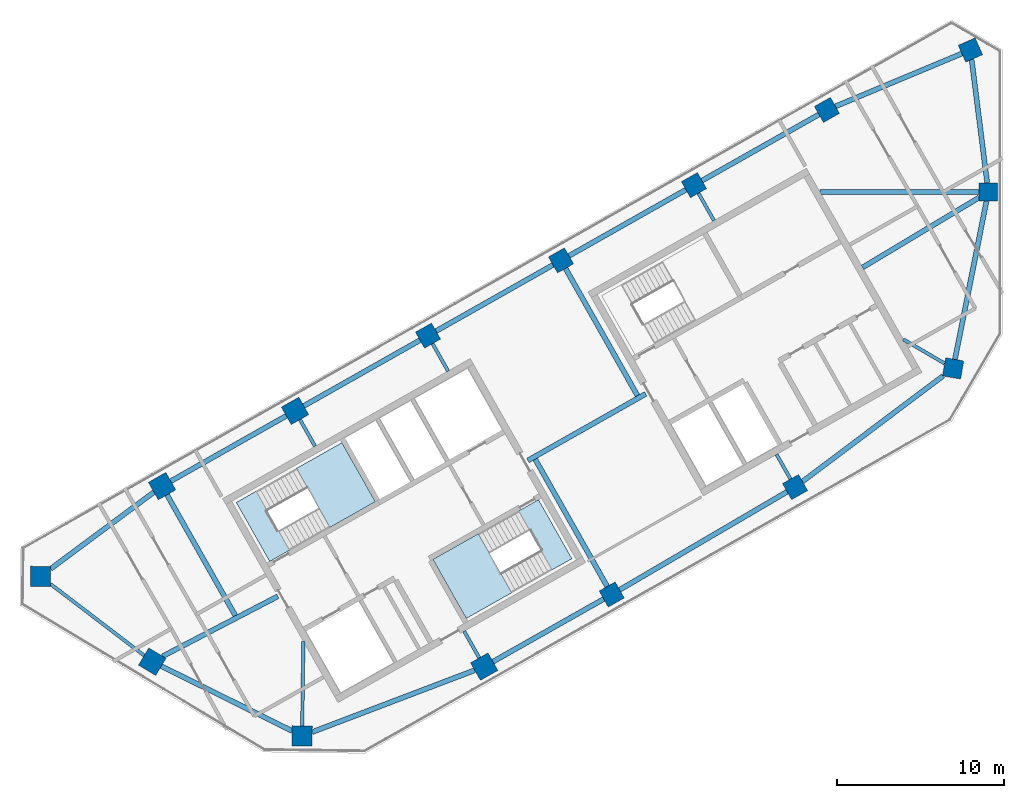
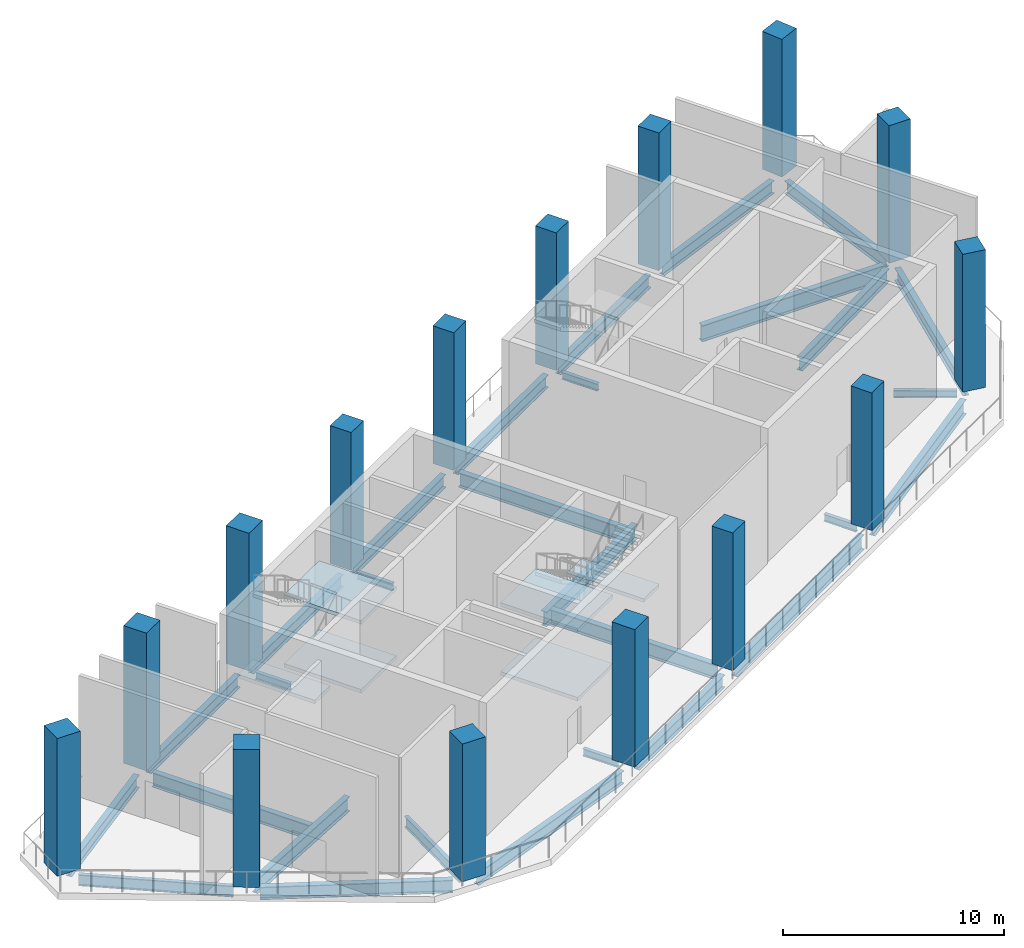
# One storey, part 1 of 6: 29 beams, 15 columns, 6 slabs, 2 elements without a shape of their own.
"""IFC4 building model written with IfcOpenShell, lengths in metres."""

from ifc_helpers import new_model, si_unit, direction, frame, origin, origin_2d, place, context, subcontext, project, spatial, polyline, rectangle, i_section, outline, extrude, material, layer, layer_set, material_profile, profile_set, type_object, element, aggregate, save


model = new_model("IFC4")

# Units and contexts
model_context = context("Model", 3, precision=1e-05, world=origin(), true_north=direction((0.0, 1.0)))
body_context = subcontext(model_context, "Body", "Model", "MODEL_VIEW")
ifc_project = project(units=[si_unit("LENGTHUNIT", "METRE"), si_unit("AREAUNIT", "SQUARE_METRE"), si_unit("VOLUMEUNIT", "CUBIC_METRE"), si_unit("PLANEANGLEUNIT", "RADIAN"), si_unit("MASSUNIT", "GRAM", prefix="KILO")], contexts=[model_context])

# Site, building, storey
site_placement = place(None, origin())
site = spatial("IfcSite", under=ifc_project, at=site_placement, CompositionType="ELEMENT")
building_placement = place(site_placement, origin())
building = spatial("IfcBuilding", under=site, at=building_placement, Name="Binnacle Exchange Tower", CompositionType="ELEMENT")
storey_placement = place(building_placement, frame((0.0, 0.0, 285.5)))
storey = spatial("IfcBuildingStorey", under=building, at=storey_placement, Name="L64", CompositionType="ELEMENT", Elevation=285.5)

# Columns
ifc_material_1 = material(Name="Concrete C60/75", Category="concrete")
ifc_material_profile_1 = material_profile(ifc_material_1, rectangle(XDim=1.10009765625, YDim=1.10009765625, at=origin_2d()), Name="Mega column 1100x1100 C60/75")
ifc_profile_set_1 = profile_set([ifc_material_profile_1], Name="Concrete C60/75")
column_type_1 = type_object("IfcColumnType", Name="Mega column 1100x1100 C60/75", PredefinedType="COLUMN", material=ifc_profile_set_1)
for number, where, z_axis, x_axis, name in (
    (1, (-10.4951171875, 64.901611328125, 0.0), (0.0, 0.0, 1.0), (-0.87035569594, -0.492423560103, 0.0), "S:COL:MC38:L64"),
    (2, (-18.44140625, 60.406005859375, 0.0), (0.0, 0.0, 1.0), (-0.87035569594, -0.492423560103, 0.0), "S:COL:MC29:L64"),
    (3, (-26.3876953125, 55.91015625, 0.0), (0.0, 0.0, 1.0), (-0.87035569594, -0.492423560103, 0.0), "S:COL:MC21:L64"),
    (4, (-34.333740234375, 51.414306640625, 0.0), (0.0, 0.0, 1.0), (-0.87035569594, -0.492423560103, 0.0), "S:COL:MC13:L64"),
    (5, (-23.35595703125, 35.9462890625, 0.0), (0.0, 0.0, 1.0), (0.87035569594, 0.492423560103, 0.0), "S:COL:MC16:L64"),
    (6, (-2.955322265625, 49.45556640625, 0.0), (0.0, 0.0, 1.0), (-0.98522612636, 0.171258517854, 0.0), "S:COL:MC43:L64"),
    (7, (-0.85009765625, 60.0, 0.0), (0.0, 0.0, 1.0), (0.0, 1.0, 0.0), "S:COL:MC45:L64"),
    (8, (-1.920166015625, 68.4833984375, 0.0), (0.0, 0.0, 1.0), (-0.91471298536, -0.40410413808, 0.0), "S:COL:MC44:L64"),
    (9, (-12.39990234375, 42.36328125, 0.0), (0.0, 0.0, 1.0), (0.87035569594, 0.492423560103, 0.0), "S:COL:MC30:L64"),
):
    element("IfcColumn", number, at=place(storey_placement, frame(where, z_axis=z_axis, x_axis=x_axis)), inside=storey, type_object=column_type_1, Name=name, PredefinedType="COLUMN", context=body_context, shape_type="SweptSolid", body=[
        extrude(rectangle(XDim=1.10009765625, YDim=1.10009765625, at=origin_2d()), origin(), (0.0, 0.0, 1.0), 7.60009765625),
    ])
ifc_material_profile_2 = material_profile(ifc_material_1, rectangle(XDim=1.199951171875, YDim=1.199951171875, at=origin_2d()), Name="Mega column 1200x1200 C60/75")
ifc_profile_set_2 = profile_set([ifc_material_profile_2], Name="Concrete C60/75")
column_type_2 = type_object("IfcColumnType", Name="Mega column 1200x1200 C60/75", PredefinedType="COLUMN", material=ifc_profile_set_2)
for number, where, z_axis, x_axis, name in (
    (10, (-42.280029296875, 46.918701171875, 0.0), (0.0, 0.0, 1.0), (-0.87035569594, -0.492423560103, 0.0), "S:COL:MC08:L64"),
    (11, (-50.226318359375, 42.4228515625, 0.0), (0.0, 0.0, 1.0), (-0.87035569594, -0.492423560103, 0.0), "S:COL:MC04:L64"),
    (12, (-57.492919921875, 37.02734375, 0.0), (0.0, 0.0, 1.0), (-0.013089595571, -0.999914327574, 0.0), "S:COL:MC02:L64"),
    (13, (-50.81201171875, 31.930908203125, 0.0), (0.0, 0.0, 1.0), (0.857167300702, -0.51503807491, 0.0), "S:COL:MC01:L64"),
    (14, (-41.857666015625, 27.494873046875, 0.0), (0.0, 0.0, 1.0), (0.999914327574, -0.013089595571, 0.0), "S:COL:MC03:L64"),
    (15, (-30.9755859375, 31.63525390625, 0.0), (0.0, 0.0, 1.0), (0.87035569594, 0.492423560103, 0.0), "S:COL:MC07:L64"),
):
    element("IfcColumn", number, at=place(storey_placement, frame(where, z_axis=z_axis, x_axis=x_axis)), inside=storey, type_object=column_type_2, Name=name, PredefinedType="COLUMN", context=body_context, shape_type="SweptSolid", body=[
        extrude(rectangle(XDim=1.199951171875, YDim=1.199951171875, at=origin_2d()), origin(), (0.0, 0.0, 1.0), 7.60009765625),
    ])

# Beams
ifc_material_2 = material(Name="Steel S355 (SHN355)", Category="steel")
ifc_material_profile_3 = material_profile(ifc_material_2, i_section(OverallWidth=0.201904296875, OverallDepth=0.612060546875, WebThickness=0.012939453125, FlangeThickness=0.02294921875, FilletRadius=0.02197265625, at=origin_2d()), Name="H 612x202x13x23")
ifc_profile_set_3 = profile_set([ifc_material_profile_3], Name="Steel S355 (SHN355)")
beam_type_1 = type_object("IfcBeamType", Name="Edge girder H 612x202x13x23 Steel S355 (SHN355)", PredefinedType="SPANDREL", material=ifc_profile_set_3)
beam_1_placement = place(storey_placement, frame((-56.89892578125, 36.57421875, -0.656005859375), z_axis=(0.795079526259, -0.606505191176, 0.0), x_axis=(0.606505191176, 0.795079526259, 0.0)))
element("IfcBeam", 16, at=beam_1_placement, inside=storey, type_object=beam_type_1, Name="S:BM:edge:L64:004", PredefinedType="SPANDREL", context=body_context, shape_type="SweptSolid", body=[
    extrude(i_section(OverallWidth=0.201904296875, OverallDepth=0.612060546875, WebThickness=0.012939453125, FlangeThickness=0.02294921875, FilletRadius=0.02197265625, at=origin_2d()), origin(), (0.0, 0.0, 1.0), 7.052001953125),
])
ifc_material_profile_4 = material_profile(ifc_material_2, i_section(OverallWidth=0.300048828125, OverallDepth=0.699951171875, WebThickness=0.012939453125, FlangeThickness=0.02392578125, FilletRadius=0.028076171875, at=origin_2d()), Name="H 700x300x13x24")
ifc_profile_set_4 = profile_set([ifc_material_profile_4], Name="Steel S355 (SHN355)")
beam_type_2 = type_object("IfcBeamType", Name="Edge girder H 700x300x13x24 Steel S355 (SHN355)", PredefinedType="SPANDREL", material=ifc_profile_set_4)
beam_2_placement = place(storey_placement, frame((-50.711669921875, 42.0625, -0.699951171875), z_axis=(-0.802889255085, -0.596128211099, 0.0), x_axis=(0.596128211099, -0.802889255085, 0.0)))
element("IfcBeam", 17, at=beam_2_placement, inside=storey, type_object=beam_type_2, Name="S:BM:edge:L64:005", PredefinedType="SPANDREL", context=body_context, shape_type="SweptSolid", body=[
    extrude(i_section(OverallWidth=0.300048828125, OverallDepth=0.699951171875, WebThickness=0.012939453125, FlangeThickness=0.02392578125, FilletRadius=0.028076171875, at=origin_2d()), origin(), (0.0, 0.0, 1.0), 7.691650390625),
])
beam_3_placement = place(storey_placement, frame((-50.272705078125, 31.663818359375, -0.699951171875), z_axis=(0.896066323919, -0.443920199066, 0.0), x_axis=(0.443920199066, 0.896066323919, 0.0)))
element("IfcBeam", 18, at=beam_3_placement, inside=storey, type_object=beam_type_2, Name="S:BM:edge:L64:006", PredefinedType="SPANDREL", context=body_context, shape_type="SweptSolid", body=[
    extrude(i_section(OverallWidth=0.300048828125, OverallDepth=0.699951171875, WebThickness=0.012939453125, FlangeThickness=0.02392578125, FilletRadius=0.028076171875, at=origin_2d()), origin(), (0.0, 0.0, 1.0), 8.725830078125),
])
beam_4_placement = place(storey_placement, frame((-42.80224609375, 46.623291015625, -0.699951171875), z_axis=(-0.870360926906, -0.492414314288, 0.0), x_axis=(0.492414314288, -0.870360926906, 0.0)))
element("IfcBeam", 19, at=beam_4_placement, inside=storey, type_object=beam_type_2, Name="S:BM:edge:L64:007", PredefinedType="SPANDREL", context=body_context, shape_type="SweptSolid", body=[
    extrude(i_section(OverallWidth=0.300048828125, OverallDepth=0.699951171875, WebThickness=0.012939453125, FlangeThickness=0.02392578125, FilletRadius=0.028076171875, at=origin_2d()), origin(), (0.0, 0.0, 1.0), 7.929931640625),
])
beam_5_placement = place(storey_placement, frame((-34.8125, 51.1435546875, -0.699951171875), z_axis=(-0.870357059543, -0.492421149935, 0.0), x_axis=(0.492421149935, -0.870357059543, 0.0)))
element("IfcBeam", 20, at=beam_5_placement, inside=storey, type_object=beam_type_2, Name="S:BM:edge:L64:009", PredefinedType="SPANDREL", context=body_context, shape_type="SweptSolid", body=[
    extrude(i_section(OverallWidth=0.300048828125, OverallDepth=0.699951171875, WebThickness=0.012939453125, FlangeThickness=0.02392578125, FilletRadius=0.028076171875, at=origin_2d()), origin(), (0.0, 0.0, 1.0), 7.979736328125),
])
beam_6_placement = place(storey_placement, frame((-30.453369140625, 31.930908203125, -0.699951171875), z_axis=(0.870370831478, 0.49239680717, 0.0), x_axis=(-0.49239680717, 0.870370831478, 0.0)))
element("IfcBeam", 21, at=beam_6_placement, inside=storey, type_object=beam_type_2, Name="S:BM:edge:L64:010", PredefinedType="SPANDREL", context=body_context, shape_type="SweptSolid", body=[
    extrude(i_section(OverallWidth=0.300048828125, OverallDepth=0.699951171875, WebThickness=0.012939453125, FlangeThickness=0.02392578125, FilletRadius=0.028076171875, at=origin_2d()), origin(), (0.0, 0.0, 1.0), 7.6044921875),
])
beam_7_placement = place(storey_placement, frame((-26.8662109375, 55.639404296875, -0.699951171875), z_axis=(-0.870353240257, -0.492427900482, 0.0), x_axis=(0.492427900482, -0.870353240257, 0.0)))
element("IfcBeam", 22, at=beam_7_placement, inside=storey, type_object=beam_type_2, Name="S:BM:edge:L64:011", PredefinedType="SPANDREL", context=body_context, shape_type="SweptSolid", body=[
    extrude(i_section(OverallWidth=0.300048828125, OverallDepth=0.699951171875, WebThickness=0.012939453125, FlangeThickness=0.02392578125, FilletRadius=0.028076171875, at=origin_2d()), origin(), (0.0, 0.0, 1.0), 8.02978515625),
])
beam_8_placement = place(storey_placement, frame((-18.919921875, 60.13525390625, -0.699951171875), z_axis=(-0.870347582166, -0.492437900875, 0.0), x_axis=(0.492437900875, -0.870347582166, 0.0)))
element("IfcBeam", 23, at=beam_8_placement, inside=storey, type_object=beam_type_2, Name="S:BM:edge:L64:013", PredefinedType="SPANDREL", context=body_context, shape_type="SweptSolid", body=[
    extrude(i_section(OverallWidth=0.300048828125, OverallDepth=0.699951171875, WebThickness=0.012939453125, FlangeThickness=0.02392578125, FilletRadius=0.028076171875, at=origin_2d()), origin(), (0.0, 0.0, 1.0), 8.030029296875),
])
beam_9_placement = place(storey_placement, frame((-10.973876953125, 64.630859375, -0.699951171875), z_axis=(-0.870353240257, -0.492427900482, 0.0), x_axis=(0.492427900482, -0.870353240257, 0.0)))
element("IfcBeam", 24, at=beam_9_placement, inside=storey, type_object=beam_type_2, Name="S:BM:edge:L64:015", PredefinedType="SPANDREL", context=body_context, shape_type="SweptSolid", body=[
    extrude(i_section(OverallWidth=0.300048828125, OverallDepth=0.699951171875, WebThickness=0.012939453125, FlangeThickness=0.02392578125, FilletRadius=0.028076171875, at=origin_2d()), origin(), (0.0, 0.0, 1.0), 8.02978515625),
])
beam_10_placement = place(storey_placement, frame((-2.84765625, 49.9951171875, -0.699951171875), z_axis=(0.195814210945, 0.980641012191, 0.0), x_axis=(-0.980641012191, 0.195814210945, 0.0)))
element("IfcBeam", 25, at=beam_10_placement, inside=storey, type_object=beam_type_2, Name="S:BM:edge:L64:016", PredefinedType="SPANDREL", context=body_context, shape_type="SweptSolid", body=[
    extrude(i_section(OverallWidth=0.300048828125, OverallDepth=0.699951171875, WebThickness=0.012939453125, FlangeThickness=0.02392578125, FilletRadius=0.028076171875, at=origin_2d()), origin(), (0.0, 0.0, 1.0), 9.6416015625),
])
beam_11_placement = place(storey_placement, frame((-2.427734375, 68.271240234375, -0.699951171875), z_axis=(-0.922746687756, -0.385406992977, 0.0), x_axis=(0.385406992977, -0.922746687756, 0.0)))
element("IfcBeam", 26, at=beam_11_placement, inside=storey, type_object=beam_type_2, Name="S:BM:edge:L64:017", PredefinedType="SPANDREL", context=body_context, shape_type="SweptSolid", body=[
    extrude(i_section(OverallWidth=0.300048828125, OverallDepth=0.699951171875, WebThickness=0.012939453125, FlangeThickness=0.02392578125, FilletRadius=0.028076171875, at=origin_2d()), origin(), (0.0, 0.0, 1.0), 8.188720703125),
])
beam_12_placement = place(storey_placement, frame((-0.91943359375, 60.550048828125, -0.699951171875), z_axis=(-0.125160121745, 0.992136555079, 0.0), x_axis=(-0.992136555079, -0.125160121745, 0.0)))
element("IfcBeam", 27, at=beam_12_placement, inside=storey, type_object=beam_type_2, Name="S:BM:edge:L64:018", PredefinedType="SPANDREL", context=body_context, shape_type="SweptSolid", body=[
    extrude(i_section(OverallWidth=0.300048828125, OverallDepth=0.699951171875, WebThickness=0.012939453125, FlangeThickness=0.02392578125, FilletRadius=0.028076171875, at=origin_2d()), origin(), (0.0, 0.0, 1.0), 7.422119140625),
])
ifc_material_profile_5 = material_profile(ifc_material_2, i_section(OverallWidth=0.302001953125, OverallDepth=0.7080078125, WebThickness=0.014892578125, FlangeThickness=0.028076171875, FilletRadius=0.028076171875, at=origin_2d()), Name="H 708x302x15x28")
ifc_profile_set_5 = profile_set([ifc_material_profile_5], Name="Steel S355 (SHN355)")
beam_type_3 = type_object("IfcBeamType", Name="Edge girder H 708x302x15x28 Steel S355 (SHN355)", PredefinedType="SPANDREL", material=ifc_profile_set_5)
beam_13_placement = place(storey_placement, frame((-41.254638671875, 27.724365234375, -0.7041015625), z_axis=(0.934635421438, 0.355607408519, 0.0), x_axis=(-0.355607408519, 0.934635421438, 0.0)))
element("IfcBeam", 28, at=beam_13_placement, inside=storey, type_object=beam_type_3, Name="S:BM:edge:L64:008", PredefinedType="SPANDREL", context=body_context, shape_type="SweptSolid", body=[
    extrude(i_section(OverallWidth=0.302001953125, OverallDepth=0.7080078125, WebThickness=0.014892578125, FlangeThickness=0.028076171875, FilletRadius=0.028076171875, at=origin_2d()), origin(), (0.0, 0.0, 1.0), 10.390869140625),
])
ifc_material_profile_6 = material_profile(ifc_material_2, i_section(OverallWidth=0.300048828125, OverallDepth=0.800048828125, WebThickness=0.013916015625, FlangeThickness=0.02587890625, FilletRadius=0.028076171875, at=origin_2d()), Name="H 800x300x14x26")
ifc_profile_set_6 = profile_set([ifc_material_profile_6], Name="Steel S355 (SHN355)")
beam_type_4 = type_object("IfcBeamType", Name="Edge girder H 800x300x14x26 Steel S355 (SHN355)", PredefinedType="SPANDREL", material=ifc_profile_set_6)
beam_14_placement = place(storey_placement, frame((-11.95654296875, 42.6962890625, -0.75), z_axis=(0.799642767002, 0.600476015493, 0.0), x_axis=(-0.600476015493, 0.799642767002, 0.0)))
element("IfcBeam", 29, at=beam_14_placement, inside=storey, type_object=beam_type_4, Name="S:BM:edge:L64:014", PredefinedType="SPANDREL", context=body_context, shape_type="SweptSolid", body=[
    extrude(i_section(OverallWidth=0.300048828125, OverallDepth=0.800048828125, WebThickness=0.013916015625, FlangeThickness=0.02587890625, FilletRadius=0.028076171875, at=origin_2d()), origin(), (0.0, 0.0, 1.0), 10.50146484375),
])
ifc_material_profile_7 = material_profile(ifc_material_2, i_section(OverallWidth=0.302001953125, OverallDepth=0.80810546875, WebThickness=0.01611328125, FlangeThickness=0.030029296875, FilletRadius=0.028076171875, at=origin_2d()), Name="H 808x302x16x30")
ifc_profile_set_7 = profile_set([ifc_material_profile_7], Name="Steel S355 (SHN355)")
beam_type_5 = type_object("IfcBeamType", Name="Edge girder H 808x302x16x30 Steel S355 (SHN355)", PredefinedType="SPANDREL", material=ifc_profile_set_7)
beam_15_placement = place(storey_placement, frame((-22.88134765625, 36.22412109375, -0.75390625), z_axis=(0.86288572191, 0.50539908085, 0.0), x_axis=(-0.50539908085, 0.86288572191, 0.0)))
element("IfcBeam", 30, at=beam_15_placement, inside=storey, type_object=beam_type_5, Name="S:BM:edge:L64:012", PredefinedType="SPANDREL", context=body_context, shape_type="SweptSolid", body=[
    extrude(i_section(OverallWidth=0.302001953125, OverallDepth=0.80810546875, WebThickness=0.01611328125, FlangeThickness=0.030029296875, FilletRadius=0.028076171875, at=origin_2d()), origin(), (0.0, 0.0, 1.0), 11.596923828125),
])
ifc_material_profile_8 = material_profile(ifc_material_2, i_section(OverallWidth=0.199951171875, OverallDepth=0.39990234375, WebThickness=0.008056640625, FlangeThickness=0.012939453125, FilletRadius=0.01611328125, at=origin_2d()), Name="H 400x200x8x13")
ifc_profile_set_8 = profile_set([ifc_material_profile_8], Name="Steel S355 (SHN355)")
beam_type_6 = type_object("IfcBeamType", Name="Floor beam H 400x200x8x13 Steel S355 (SHN355)", PredefinedType="BEAM", material=ifc_profile_set_8)
beam_16_placement = place(storey_placement, frame((-41.984619140625, 46.396484375, -0.550048828125), z_axis=(0.492465079532, -0.87033220407, 0.0), x_axis=(0.87033220407, 0.492465079532, 0.0)))
element("IfcBeam", 31, at=beam_16_placement, inside=storey, type_object=beam_type_6, Name="S:BM:cross:L64:020", PredefinedType="BEAM", context=body_context, shape_type="SweptSolid", body=[
    extrude(i_section(OverallWidth=0.199951171875, OverallDepth=0.39990234375, WebThickness=0.008056640625, FlangeThickness=0.012939453125, FilletRadius=0.01611328125, at=origin_2d()), origin(), (0.0, 0.0, 1.0), 1.834228515625),
])
beam_17_placement = place(storey_placement, frame((-34.06298828125, 50.935791015625, -0.550048828125), z_axis=(0.492437150105, -0.870348006947, 0.0), x_axis=(0.870348006947, 0.492437150105, 0.0)))
element("IfcBeam", 32, at=beam_17_placement, inside=storey, type_object=beam_type_6, Name="S:BM:cross:L64:022", PredefinedType="BEAM", context=body_context, shape_type="SweptSolid", body=[
    extrude(i_section(OverallWidth=0.199951171875, OverallDepth=0.39990234375, WebThickness=0.008056640625, FlangeThickness=0.012939453125, FilletRadius=0.01611328125, at=origin_2d()), origin(), (0.0, 0.0, 1.0), 1.884521484375),
])
beam_18_placement = place(storey_placement, frame((-31.27099609375, 32.157470703125, -0.550048828125), z_axis=(-0.492465079532, 0.87033220407, 0.0), x_axis=(-0.87033220407, -0.492465079532, 0.0)))
element("IfcBeam", 33, at=beam_18_placement, inside=storey, type_object=beam_type_6, Name="S:BM:cross:L64:023", PredefinedType="BEAM", context=body_context, shape_type="SweptSolid", body=[
    extrude(i_section(OverallWidth=0.199951171875, OverallDepth=0.39990234375, WebThickness=0.008056640625, FlangeThickness=0.012939453125, FilletRadius=0.01611328125, at=origin_2d()), origin(), (0.0, 0.0, 1.0), 1.834228515625),
])
beam_19_placement = place(storey_placement, frame((-18.17041015625, 59.92724609375, -0.550048828125), z_axis=(0.492394529663, -0.870372119934, 0.0), x_axis=(0.870372119934, 0.492394529663, 0.0)))
element("IfcBeam", 34, at=beam_19_placement, inside=storey, type_object=beam_type_6, Name="S:BM:cross:L64:026", PredefinedType="BEAM", context=body_context, shape_type="SweptSolid", body=[
    extrude(i_section(OverallWidth=0.199951171875, OverallDepth=0.39990234375, WebThickness=0.008056640625, FlangeThickness=0.012939453125, FilletRadius=0.01611328125, at=origin_2d()), origin(), (0.0, 0.0, 1.0), 1.884033203125),
])
beam_20_placement = place(storey_placement, frame((-12.6708984375, 42.841796875, -0.550048828125), z_axis=(-0.492394350893, 0.870372221069, 0.0), x_axis=(-0.870372221069, -0.492394350893, 0.0)))
element("IfcBeam", 35, at=beam_20_placement, inside=storey, type_object=beam_type_6, Name="S:BM:cross:L64:027", PredefinedType="BEAM", context=body_context, shape_type="SweptSolid", body=[
    extrude(i_section(OverallWidth=0.199951171875, OverallDepth=0.39990234375, WebThickness=0.008056640625, FlangeThickness=0.012939453125, FilletRadius=0.01611328125, at=origin_2d()), origin(), (0.0, 0.0, 1.0), 1.6943359375),
])
beam_21_placement = place(storey_placement, frame((-3.46240234375, 49.751220703125, -0.550048828125), z_axis=(-0.863840862356, 0.503764790874, 0.0), x_axis=(-0.503764790874, -0.863840862356, 0.0)))
element("IfcBeam", 36, at=beam_21_placement, inside=storey, type_object=beam_type_6, Name="S:BM:cross:L64:028", PredefinedType="BEAM", context=body_context, shape_type="SweptSolid", body=[
    extrude(i_section(OverallWidth=0.199951171875, OverallDepth=0.39990234375, WebThickness=0.008056640625, FlangeThickness=0.012939453125, FilletRadius=0.01611328125, at=origin_2d()), origin(), (0.0, 0.0, 1.0), 2.85791015625),
])
ifc_material_profile_9 = material_profile(ifc_material_2, i_section(OverallWidth=0.200927734375, OverallDepth=0.60595703125, WebThickness=0.011962890625, FlangeThickness=0.02001953125, FilletRadius=0.02197265625, at=origin_2d()), Name="H 606x201x12x20")
ifc_profile_set_9 = profile_set([ifc_material_profile_9], Name="Steel S355 (SHN355)")
beam_type_7 = type_object("IfcBeamType", Name="Floor beam H 606x201x12x20 Steel S355 (SHN355)", PredefinedType="BEAM", material=ifc_profile_set_9)
beam_22_placement = place(storey_placement, frame((-41.849853515625, 28.0947265625, -0.653076171875), z_axis=(0.013099523714, 0.999914197558, 0.0), x_axis=(-0.999914197558, 0.013099523714, 0.0)))
element("IfcBeam", 37, at=beam_22_placement, inside=storey, type_object=beam_type_7, Name="S:BM:cross:L64:021", PredefinedType="BEAM", context=body_context, shape_type="SweptSolid", body=[
    extrude(i_section(OverallWidth=0.200927734375, OverallDepth=0.60595703125, WebThickness=0.011962890625, FlangeThickness=0.02001953125, FilletRadius=0.02197265625, at=origin_2d()), origin(), (0.0, 0.0, 1.0), 5.05078125),
])
ifc_material_profile_10 = material_profile(ifc_material_2, i_section(OverallWidth=0.300048828125, OverallDepth=0.800048828125, WebThickness=0.013916015625, FlangeThickness=0.02587890625, FilletRadius=0.028076171875, at=origin_2d()), Name="H 800x300x14x26")
ifc_profile_set_10 = profile_set([ifc_material_profile_10], Name="Steel S355 (SHN355)")
beam_type_8 = type_object("IfcBeamType", Name="Floor beam H 800x300x14x26 Steel S355 (SHN355)", PredefinedType="BEAM", material=ifc_profile_set_10)
beam_23_placement = place(storey_placement, frame((-49.9306640625, 41.900634765625, -0.75), z_axis=(0.492421066821, -0.870357106566, 0.0), x_axis=(0.870357106566, 0.492421066821, 0.0)))
element("IfcBeam", 38, at=beam_23_placement, inside=storey, type_object=beam_type_8, Name="S:BM:cross:L64:019", PredefinedType="BEAM", context=body_context, shape_type="SweptSolid", body=[
    extrude(i_section(OverallWidth=0.300048828125, OverallDepth=0.800048828125, WebThickness=0.013916015625, FlangeThickness=0.02587890625, FilletRadius=0.028076171875, at=origin_2d()), origin(), (0.0, 0.0, 1.0), 8.291259765625),
])
ifc_material_profile_11 = material_profile(ifc_material_2, i_section(OverallWidth=0.302001953125, OverallDepth=0.80810546875, WebThickness=0.01611328125, FlangeThickness=0.030029296875, FilletRadius=0.028076171875, at=origin_2d()), Name="H 808x302x16x30")
ifc_profile_set_11 = profile_set([ifc_material_profile_11], Name="Steel S355 (SHN355)")
beam_type_9 = type_object("IfcBeamType", Name="Floor beam H 808x302x16x30 Steel S355 (SHN355)", PredefinedType="BEAM", material=ifc_profile_set_11)
beam_24_placement = place(storey_placement, frame((-26.11669921875, 55.431396484375, -0.75390625), z_axis=(0.492413671625, -0.870361290497, 0.0), x_axis=(0.870361290497, 0.492413671625, 0.0)))
element("IfcBeam", 39, at=beam_24_placement, inside=storey, type_object=beam_type_9, Name="S:BM:cross:L64:024", PredefinedType="BEAM", context=body_context, shape_type="SweptSolid", body=[
    extrude(i_section(OverallWidth=0.302001953125, OverallDepth=0.80810546875, WebThickness=0.01611328125, FlangeThickness=0.030029296875, FilletRadius=0.028076171875, at=origin_2d()), origin(), (0.0, 0.0, 1.0), 8.734130859375),
])
beam_25_placement = place(storey_placement, frame((-23.626708984375, 36.4248046875, -0.75390625), z_axis=(-0.492422866295, 0.870356088477, 0.0), x_axis=(-0.870356088477, -0.492422866295, 0.0)))
element("IfcBeam", 40, at=beam_25_placement, inside=storey, type_object=beam_type_9, Name="S:BM:cross:L64:025", PredefinedType="BEAM", context=body_context, shape_type="SweptSolid", body=[
    extrude(i_section(OverallWidth=0.302001953125, OverallDepth=0.80810546875, WebThickness=0.01611328125, FlangeThickness=0.030029296875, FilletRadius=0.028076171875, at=origin_2d()), origin(), (0.0, 0.0, 1.0), 8.734375),
])
ifc_material_profile_12 = material_profile(ifc_material_2, i_section(OverallWidth=0.300048828125, OverallDepth=0.89990234375, WebThickness=0.01611328125, FlangeThickness=0.028076171875, FilletRadius=0.028076171875, at=origin_2d()), Name="H 900x300x16x28")
ifc_profile_set_12 = profile_set([ifc_material_profile_12], Name="Steel S355 (SHN355)")
beam_type_10 = type_object("IfcBeamType", Name="Floor beam H 900x300x16x28 Steel S355 (SHN355)", PredefinedType="BEAM", material=ifc_profile_set_12)
beam_26_placement = place(storey_placement, frame((-1.39990234375, 60.0, -0.800048828125), z_axis=(-1.0, 0.0, 0.0), x_axis=(0.0, -1.0, 0.0)))
element("IfcBeam", 41, at=beam_26_placement, inside=storey, type_object=beam_type_10, Name="S:BM:cross:L64:029", PredefinedType="BEAM", context=body_context, shape_type="SweptSolid", body=[
    extrude(i_section(OverallWidth=0.300048828125, OverallDepth=0.89990234375, WebThickness=0.01611328125, FlangeThickness=0.028076171875, FilletRadius=0.028076171875, at=origin_2d()), origin(), (0.0, 0.0, 1.0), 9.51513671875),
])
ifc_material_profile_13 = material_profile(ifc_material_2, i_section(OverallWidth=0.302001953125, OverallDepth=0.7080078125, WebThickness=0.014892578125, FlangeThickness=0.028076171875, FilletRadius=0.028076171875, at=origin_2d()), Name="H 708x302x15x28")
ifc_profile_set_13 = profile_set([ifc_material_profile_13], Name="Steel S355 (SHN355)")
beam_type_11 = type_object("IfcBeamType", Name="Spine girder H 708x302x15x28 Steel S355 (SHN355)", PredefinedType="BEAM", material=ifc_profile_set_13)
beam_27_placement = place(storey_placement, frame((-8.36328125, 55.489990234375, -0.7041015625), z_axis=(0.857389464427, 0.514668151618, 0.0), x_axis=(-0.514668151618, 0.857389464427, 0.0)))
element("IfcBeam", 42, at=beam_27_placement, inside=storey, type_object=beam_type_11, Name="S:BM:spine:L64:003", PredefinedType="BEAM", context=body_context, shape_type="SweptSolid", body=[
    extrude(i_section(OverallWidth=0.302001953125, OverallDepth=0.7080078125, WebThickness=0.014892578125, FlangeThickness=0.028076171875, FilletRadius=0.028076171875, at=origin_2d()), origin(), (0.0, 0.0, 1.0), 8.12158203125),
])
ifc_material_profile_14 = material_profile(ifc_material_2, i_section(OverallWidth=0.300048828125, OverallDepth=0.800048828125, WebThickness=0.013916015625, FlangeThickness=0.02587890625, FilletRadius=0.028076171875, at=origin_2d()), Name="H 800x300x14x26")
ifc_profile_set_14 = profile_set([ifc_material_profile_14], Name="Steel S355 (SHN355)")
beam_type_12 = type_object("IfcBeamType", Name="Spine girder H 800x300x14x26 Steel S355 (SHN355)", PredefinedType="BEAM", material=ifc_profile_set_14)
beam_28_placement = place(storey_placement, frame((-50.18798828125, 32.255859375, -0.75), z_axis=(0.886980159322, 0.461807532387, 0.0), x_axis=(-0.461807532387, 0.886980159322, 0.0)))
element("IfcBeam", 43, at=beam_28_placement, inside=storey, type_object=beam_type_12, Name="S:BM:spine:L64:001", PredefinedType="BEAM", context=body_context, shape_type="SweptSolid", body=[
    extrude(i_section(OverallWidth=0.300048828125, OverallDepth=0.800048828125, WebThickness=0.013916015625, FlangeThickness=0.02587890625, FilletRadius=0.028076171875, at=origin_2d()), origin(), (0.0, 0.0, 1.0), 7.757080078125),
])
ifc_material_profile_15 = material_profile(ifc_material_2, i_section(OverallWidth=0.302001953125, OverallDepth=0.80810546875, WebThickness=0.01611328125, FlangeThickness=0.030029296875, FilletRadius=0.028076171875, at=origin_2d()), Name="H 808x302x16x30")
ifc_profile_set_15 = profile_set([ifc_material_profile_15], Name="Steel S355 (SHN355)")
beam_type_13 = type_object("IfcBeamType", Name="Spine girder H 808x302x16x30 Steel S355 (SHN355)", PredefinedType="BEAM", material=ifc_profile_set_15)
beam_29_placement = place(storey_placement, frame((-28.365478515625, 43.951416015625, -0.75390625), z_axis=(0.870350319004, 0.492433063684, 0.0), x_axis=(-0.492433063684, 0.870350319004, 0.0)))
element("IfcBeam", 44, at=beam_29_placement, inside=storey, type_object=beam_type_13, Name="S:BM:spine:L64:002", PredefinedType="BEAM", context=body_context, shape_type="SweptSolid", body=[
    extrude(i_section(OverallWidth=0.302001953125, OverallDepth=0.80810546875, WebThickness=0.01611328125, FlangeThickness=0.030029296875, FilletRadius=0.028076171875, at=origin_2d()), origin(), (0.0, 0.0, 1.0), 8.0908203125),
])

# Stair, slabs
ifc_material_3 = material(Name="Concrete C35/45", Category="concrete")
stair_type = type_object("IfcStairType", Name="STAIR 44 RISERS 173", PredefinedType="HALF_TURN_STAIR", material=ifc_material_3)
stair_1_placement = place(storey_placement, origin())
stair_1 = element("IfcStair", 45, at=stair_1_placement, inside=storey, type_object=stair_type, Name="L64 Escape stair A1", PredefinedType="HALF_TURN_STAIR")
ifc_layer = layer(ifc_material_3, 0.199951171875)
ifc_layer_set = layer_set([ifc_layer], Name="STAIR LANDING 200")
slab_type = type_object("IfcSlabType", Name="STAIR LANDING 200", PredefinedType="LANDING", material=ifc_layer_set)
slab_1_placement = place(storey_placement, frame((0.0, 0.0, 1.699951171875)))
slab_1 = element("IfcSlab", 46, at=slab_1_placement, type_object=slab_type, Name="STA1 landing 1", PredefinedType="LANDING", context=body_context, shape_type="SweptSolid", body=[
    extrude(outline(polyline([(-40.2021484375, 39.954833984375), (-37.486572265625, 41.4912109375), (-39.48095703125, 45.01611328125), (-42.1962890625, 43.479736328125), (-40.2021484375, 39.954833984375)])), origin(), (0.0, 0.0, 1.0), 0.199951171875),
])
slab_2_placement = place(storey_placement, frame((0.0, 0.0, 3.60009765625)))
slab_2 = element("IfcSlab", 47, at=slab_2_placement, type_object=slab_type, Name="STA1 landing 2", PredefinedType="LANDING", context=body_context, shape_type="SweptSolid", body=[
    extrude(outline(polyline([(-43.796630859375, 37.921142578125), (-42.604248046875, 38.595703125), (-44.5986328125, 42.12060546875), (-45.791015625, 41.446044921875), (-43.796630859375, 37.921142578125)])), origin(), (0.0, 0.0, 1.0), 0.199951171875),
])
slab_3_placement = place(storey_placement, frame((0.0, 0.0, 5.5)))
slab_3 = element("IfcSlab", 48, at=slab_3_placement, type_object=slab_type, Name="STA1 landing 3", PredefinedType="LANDING", context=body_context, shape_type="SweptSolid", body=[
    extrude(outline(polyline([(-40.2021484375, 39.954833984375), (-37.486572265625, 41.4912109375), (-39.48095703125, 45.01611328125), (-42.1962890625, 43.479736328125), (-40.2021484375, 39.954833984375)])), origin(), (0.0, 0.0, 1.0), 0.199951171875),
])
aggregate(stair_1, [slab_1, slab_2, slab_3])

stair_2_placement = place(storey_placement, origin())
stair_2 = element("IfcStair", 49, at=stair_2_placement, inside=storey, type_object=stair_type, Name="L64 Escape stair A2", PredefinedType="HALF_TURN_STAIR")
slab_4_placement = place(storey_placement, frame((0.0, 0.0, 1.699951171875)))
slab_4 = element("IfcSlab", 50, at=slab_4_placement, type_object=slab_type, Name="STA2 landing 1", PredefinedType="LANDING", context=body_context, shape_type="SweptSolid", body=[
    extrude(outline(polyline([(-31.3251953125, 39.576904296875), (-34.040771484375, 38.04052734375), (-32.04638671875, 34.515625), (-29.330810546875, 36.052001953125), (-31.3251953125, 39.576904296875)])), origin(), (0.0, 0.0, 1.0), 0.199951171875),
])
slab_5_placement = place(storey_placement, frame((0.0, 0.0, 3.60009765625)))
slab_5 = element("IfcSlab", 51, at=slab_5_placement, type_object=slab_type, Name="STA2 landing 2", PredefinedType="LANDING", context=body_context, shape_type="SweptSolid", body=[
    extrude(outline(polyline([(-27.730712890625, 41.610595703125), (-28.923095703125, 40.93603515625), (-26.9287109375, 37.4111328125), (-25.736328125, 38.085693359375), (-27.730712890625, 41.610595703125)])), origin(), (0.0, 0.0, 1.0), 0.199951171875),
])
slab_6_placement = place(storey_placement, frame((0.0, 0.0, 5.5)))
slab_6 = element("IfcSlab", 52, at=slab_6_placement, type_object=slab_type, Name="STA2 landing 3", PredefinedType="LANDING", context=body_context, shape_type="SweptSolid", body=[
    extrude(outline(polyline([(-31.3251953125, 39.576904296875), (-34.040771484375, 38.04052734375), (-32.04638671875, 34.515625), (-29.330810546875, 36.052001953125), (-31.3251953125, 39.576904296875)])), origin(), (0.0, 0.0, 1.0), 0.199951171875),
])
aggregate(stair_2, [slab_4, slab_5, slab_6])

save(model, "model.ifc")
